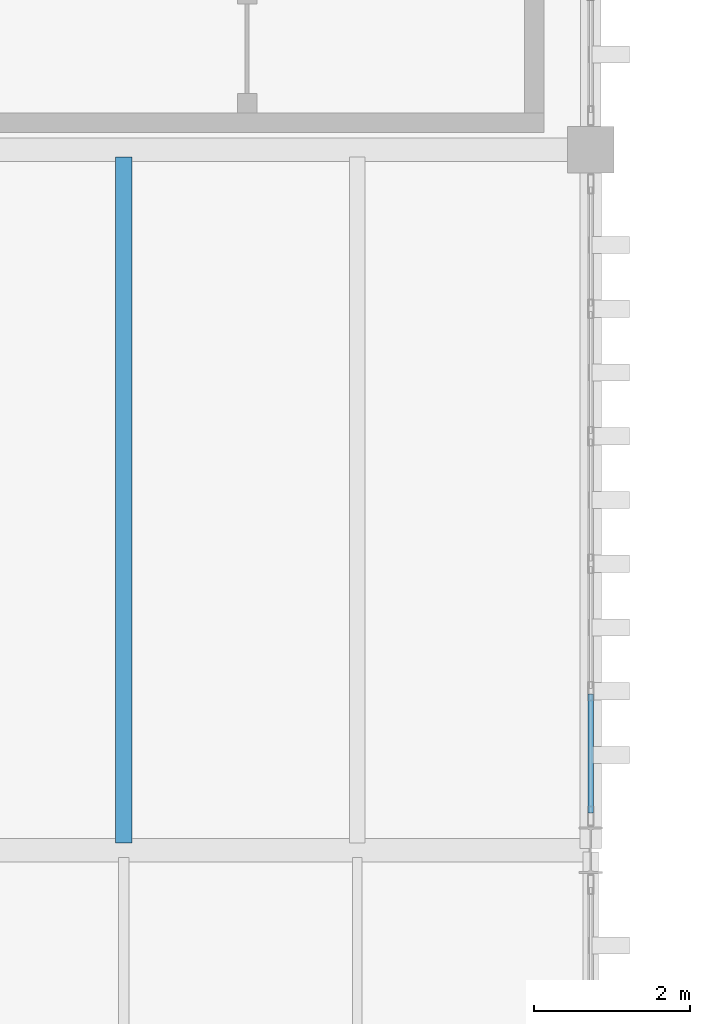
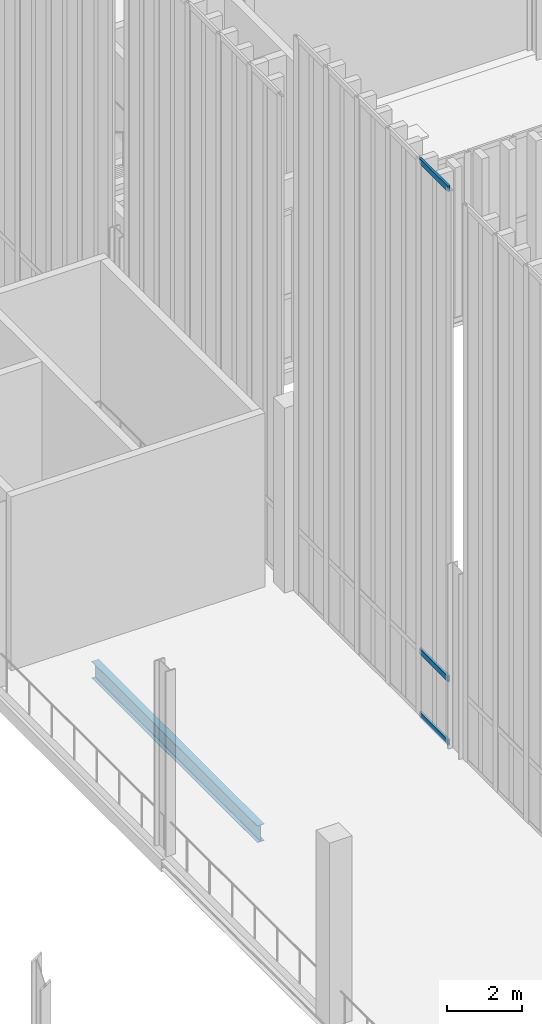
# One storey, part 56 of 237: 3 members, 1 beam, 1 element without a shape of its own.
"""IFC4 building model written with IfcOpenShell, lengths in metres."""

from ifc_helpers import new_model, si_unit, direction, frame, origin, origin_2d, place, context, subcontext, project, spatial, hollow_rectangle, i_section, extrude, material, layer, layer_set, material_profile, profile_set, type_object, element, aggregate, save


model = new_model("IFC4")

# Units and contexts
model_context = context("Model", 3, precision=1e-05, world=origin(), true_north=direction((0.0, 1.0)))
body_context = subcontext(model_context, "Body", "Model", "MODEL_VIEW")
ifc_project = project(units=[si_unit("LENGTHUNIT", "METRE"), si_unit("AREAUNIT", "SQUARE_METRE"), si_unit("VOLUMEUNIT", "CUBIC_METRE"), si_unit("PLANEANGLEUNIT", "RADIAN"), si_unit("MASSUNIT", "GRAM", prefix="KILO")], contexts=[model_context])

# Site, building, storey
site_placement = place(None, origin())
site = spatial("IfcSite", under=ifc_project, at=site_placement, CompositionType="ELEMENT")
building_placement = place(site_placement, origin())
building = spatial("IfcBuilding", under=site, at=building_placement, Name="Barlavento Convention Centre", CompositionType="ELEMENT")
storey_placement = place(building_placement, frame((0.0, 0.0, 12.0)))
storey = spatial("IfcBuildingStorey", under=building, at=storey_placement, Name="L02", CompositionType="ELEMENT", Elevation=12.0)

# Curtain wall, members
ifc_material_1 = material(Name="Powder-coated aluminium and Low-E glass", Category="aluminium")
ifc_layer = layer(ifc_material_1, 0.18994140625)
ifc_layer_set = layer_set([ifc_layer], Name="ARC-CW-CONG-L02")
curtain_wall_type = type_object("IfcCurtainWallType", Name="ARC-CW-CONG-L02", PredefinedType="NOTDEFINED", material=ifc_layer_set)
curtain_wall_placement = place(storey_placement, origin())
curtain_wall = element("IfcCurtainWall", 1, at=curtain_wall_placement, inside=storey, type_object=curtain_wall_type, Name="L02 unitised curtain wall CW02", PredefinedType="NOTDEFINED")
ifc_material_2 = material(Name="Powder-coated aluminium", Category="aluminium")
ifc_material_profile_1 = material_profile(ifc_material_2, hollow_rectangle(XDim=0.070068359375, YDim=0.179931640625, WallThickness=0.0048828125, at=origin_2d()), Name="AL-TRAN 70x180x5")
ifc_profile_set_1 = profile_set([ifc_material_profile_1], Name="Powder-coated aluminium")
member_type = type_object("IfcMemberType", Name="ARC-CWT-70X180", PredefinedType="USERDEFINED", material=ifc_profile_set_1)
member_1_placement = place(storey_placement, frame((63.0, 27.47998046875, 0.034912109375), z_axis=(0.0, 1.0, 0.0), x_axis=(-1.0, 0.0, 0.0)))
member_1 = element("IfcMember", 2, at=member_1_placement, type_object=member_type, Name="CW02 transom 1.1", ObjectType="TRANSOM", PredefinedType="USERDEFINED", context=body_context, shape_type="SweptSolid", body=[
    extrude(hollow_rectangle(XDim=0.070068359375, YDim=0.179931640625, WallThickness=0.0048828125, at=origin_2d()), origin(), (0.0, 0.0, 1.0), 1.525634765625),
])
member_2_placement = place(storey_placement, frame((63.0, 27.47998046875, 2.10009765625), z_axis=(0.0, 1.0, 0.0), x_axis=(-1.0, 0.0, 0.0)))
member_2 = element("IfcMember", 3, at=member_2_placement, type_object=member_type, Name="CW02 transom 1.2", ObjectType="TRANSOM", PredefinedType="USERDEFINED", context=body_context, shape_type="SweptSolid", body=[
    extrude(hollow_rectangle(XDim=0.070068359375, YDim=0.179931640625, WallThickness=0.0048828125, at=origin_2d()), origin(), (0.0, 0.0, 1.0), 1.525634765625),
])
member_3_placement = place(storey_placement, frame((63.0, 27.47998046875, 18.001953125), z_axis=(0.0, 1.0, 0.0), x_axis=(-1.0, 0.0, 0.0)))
member_3 = element("IfcMember", 4, at=member_3_placement, type_object=member_type, Name="CW02 transom 1.3", ObjectType="TRANSOM", PredefinedType="USERDEFINED", context=body_context, shape_type="SweptSolid", body=[
    extrude(hollow_rectangle(XDim=0.070068359375, YDim=0.179931640625, WallThickness=0.0048828125, at=origin_2d()), origin(), (0.0, 0.0, 1.0), 1.525634765625),
])
aggregate(curtain_wall, [member_1, member_2, member_3])

# Beam
ifc_material_3 = material(Name="Steel S355", Category="steel")
ifc_material_profile_2 = material_profile(ifc_material_3, i_section(OverallWidth=0.2099609375, OverallDepth=0.550048828125, WebThickness=0.010986328125, FlangeThickness=0.01708984375, FilletRadius=0.02392578125, at=origin_2d()), Name="IPE 550")
ifc_profile_set_2 = profile_set([ifc_material_profile_2], Name="Steel S355")
beam_type = type_object("IfcBeamType", Name="STR-BM-JST-IPE550", PredefinedType="JOIST", material=ifc_profile_set_2)
beam_placement = place(storey_placement, frame((57.0, 27.094970703125, -0.574951171875), z_axis=(0.0, 1.0, 0.0), x_axis=(-1.0, 0.0, 0.0)))
element("IfcBeam", 5, at=beam_placement, inside=storey, type_object=beam_type, Name="L02 composite floor joist SJ01", PredefinedType="JOIST", context=body_context, shape_type="SweptSolid", body=[
    extrude(i_section(OverallWidth=0.2099609375, OverallDepth=0.550048828125, WebThickness=0.010986328125, FlangeThickness=0.01708984375, FilletRadius=0.02392578125, at=origin_2d()), origin(), (0.0, 0.0, 1.0), 8.81005859375),
])

save(model, "model.ifc")
